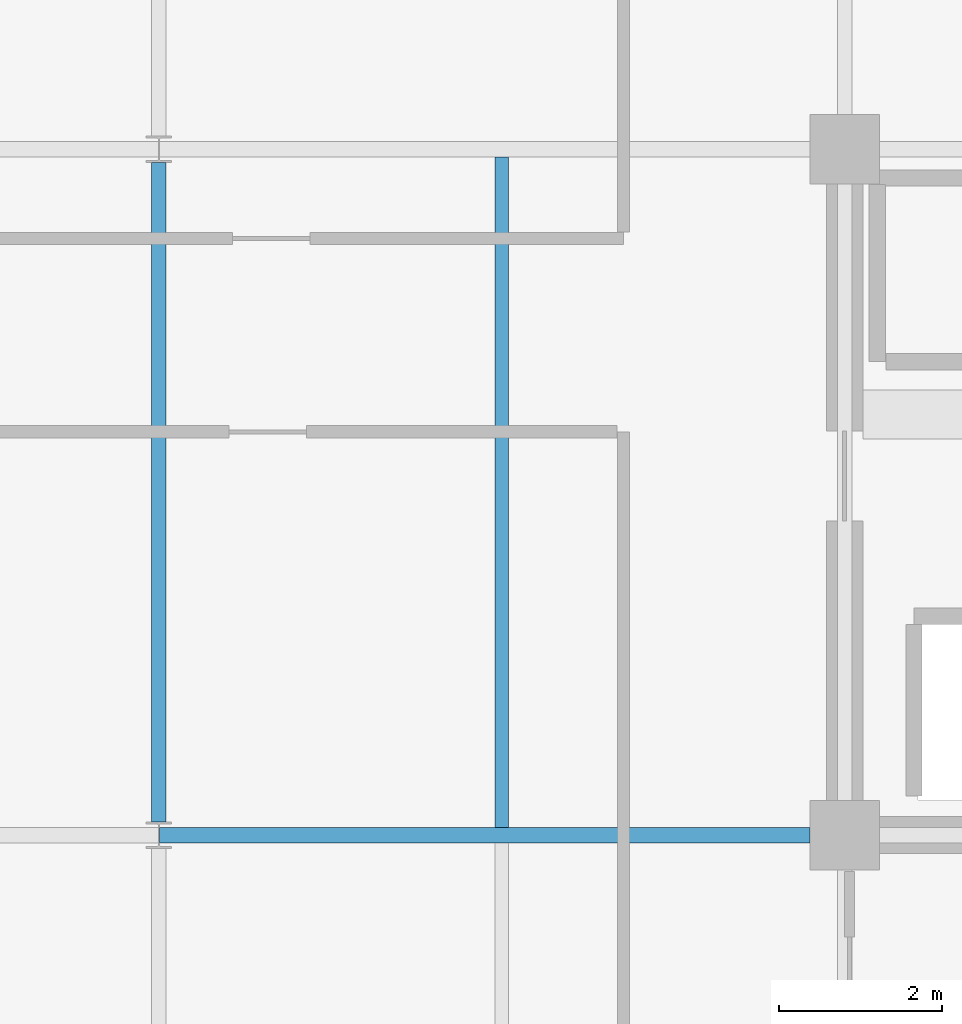
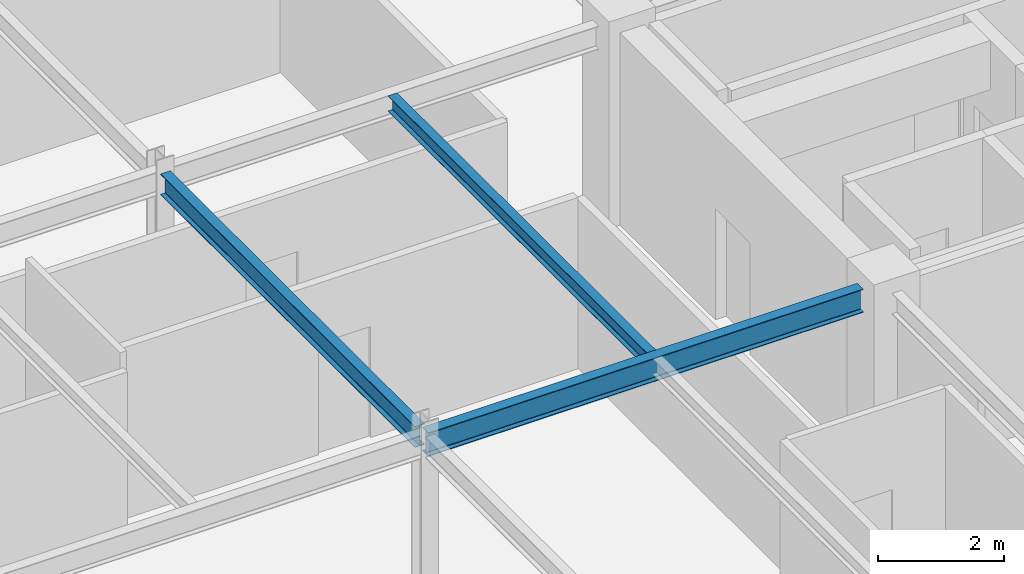
# One storey, part 6 of 27: 3 beams.
"""IFC4 building model written with IfcOpenShell, lengths in metres."""

from ifc_helpers import new_model, si_unit, direction, frame, origin, origin_2d, place, context, subcontext, project, spatial, i_section, extrude, material, material_profile, profile_set, type_object, element, save


model = new_model("IFC4")

# Units and contexts
model_context = context("Model", 3, precision=1e-05, world=origin(), true_north=direction((0.0, 1.0)))
body_context = subcontext(model_context, "Body", "Model", "MODEL_VIEW")
ifc_project = project(units=[si_unit("LENGTHUNIT", "METRE"), si_unit("AREAUNIT", "SQUARE_METRE"), si_unit("VOLUMEUNIT", "CUBIC_METRE"), si_unit("PLANEANGLEUNIT", "RADIAN"), si_unit("MASSUNIT", "GRAM", prefix="KILO")], contexts=[model_context])

# Site, building, storey
site_placement = place(None, origin())
site = spatial("IfcSite", under=ifc_project, at=site_placement, CompositionType="ELEMENT")
building_placement = place(site_placement, origin())
building = spatial("IfcBuilding", under=site, at=building_placement, Name="Nerrivon Quay Data Exchange", CompositionType="ELEMENT")
storey_placement = place(building_placement, frame((0.0, 0.0, 266.199951171875)))
storey = spatial("IfcBuildingStorey", under=building, at=storey_placement, Name="L63", CompositionType="ELEMENT", Elevation=266.199951171875)

# Beams
ifc_material = material(Name="Steel Grade 350", Category="steel")
ifc_material_profile_1 = material_profile(ifc_material, i_section(OverallWidth=0.18994140625, OverallDepth=0.4541015625, WebThickness=0.008544921875, FlangeThickness=0.0126953125, FilletRadius=0.011474609375, at=origin_2d()), Name="460UB67.1")
ifc_profile_set_1 = profile_set([ifc_material_profile_1], Name="Steel Grade 350")
beam_type_1 = type_object("IfcBeamType", Name="BM-G6-460UB67", PredefinedType="BEAM", material=ifc_profile_set_1)
beam_1_placement = place(storey_placement, frame((8.40771484375, 8.39990234375, 3.498046875), z_axis=(1.0, 0.0, 0.0), x_axis=(0.0, 1.0, 0.0)))
element("IfcBeam", 1, at=beam_1_placement, inside=storey, type_object=beam_type_1, Name="L63 EW Girder Y=8.4 (8.4..16.8)", PredefinedType="BEAM", context=body_context, shape_type="SweptSolid", body=[
    extrude(i_section(OverallWidth=0.18994140625, OverallDepth=0.4541015625, WebThickness=0.008544921875, FlangeThickness=0.0126953125, FilletRadius=0.011474609375, at=origin_2d()), origin(), (0.0, 0.0, 1.0), 7.96728515625),
])
ifc_material_profile_2 = material_profile(ifc_material, i_section(OverallWidth=0.177978515625, OverallDepth=0.406005859375, WebThickness=0.0078125, FlangeThickness=0.0126953125, FilletRadius=0.011474609375, at=origin_2d()), Name="410UB59.7")
ifc_profile_set_2 = profile_set([ifc_material_profile_2], Name="Steel Grade 350")
beam_type_2 = type_object("IfcBeamType", Name="BM-J1-410UB60", PredefinedType="JOIST", material=ifc_profile_set_2)
beam_2_placement = place(storey_placement, frame((8.39990234375, 8.5634765625, 3.52197265625), z_axis=(0.0, 1.0, 0.0), x_axis=(-1.0, 0.0, 0.0)))
element("IfcBeam", 2, at=beam_2_placement, inside=storey, type_object=beam_type_2, Name="L63 NS Girder X=8.4 (8.4..16.8)", PredefinedType="JOIST", context=body_context, shape_type="SweptSolid", body=[
    extrude(i_section(OverallWidth=0.177978515625, OverallDepth=0.406005859375, WebThickness=0.0078125, FlangeThickness=0.0126953125, FilletRadius=0.011474609375, at=origin_2d()), origin(), (0.0, 0.0, 1.0), 8.072998046875),
])
ifc_material_profile_3 = material_profile(ifc_material, i_section(OverallWidth=0.1650390625, OverallDepth=0.303955078125, WebThickness=0.006103515625, FlangeThickness=0.01025390625, FilletRadius=0.011474609375, at=origin_2d()), Name="310UB40.4")
ifc_profile_set_3 = profile_set([ifc_material_profile_3], Name="Steel Grade 350")
beam_type_3 = type_object("IfcBeamType", Name="BM-J6-310UB40", PredefinedType="JOIST", material=ifc_profile_set_3)
beam_3_placement = place(storey_placement, frame((12.60009765625, 8.4951171875, 3.572998046875), z_axis=(0.0, 1.0, 0.0), x_axis=(-1.0, 0.0, 0.0)))
element("IfcBeam", 3, at=beam_3_placement, inside=storey, type_object=beam_type_3, Name="L63 Secondary Joist X=12.6 (8.4..16.8)", PredefinedType="JOIST", context=body_context, shape_type="SweptSolid", body=[
    extrude(i_section(OverallWidth=0.1650390625, OverallDepth=0.303955078125, WebThickness=0.006103515625, FlangeThickness=0.01025390625, FilletRadius=0.011474609375, at=origin_2d()), origin(), (0.0, 0.0, 1.0), 8.2099609375),
])

save(model, "model.ifc")
